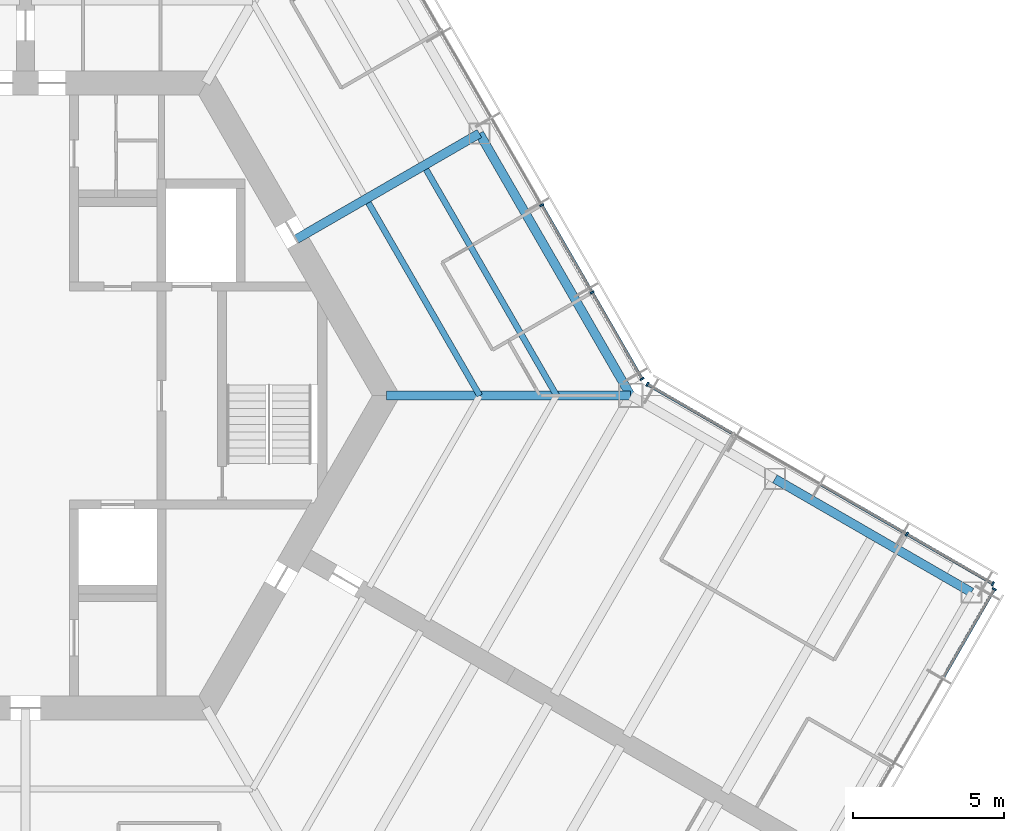
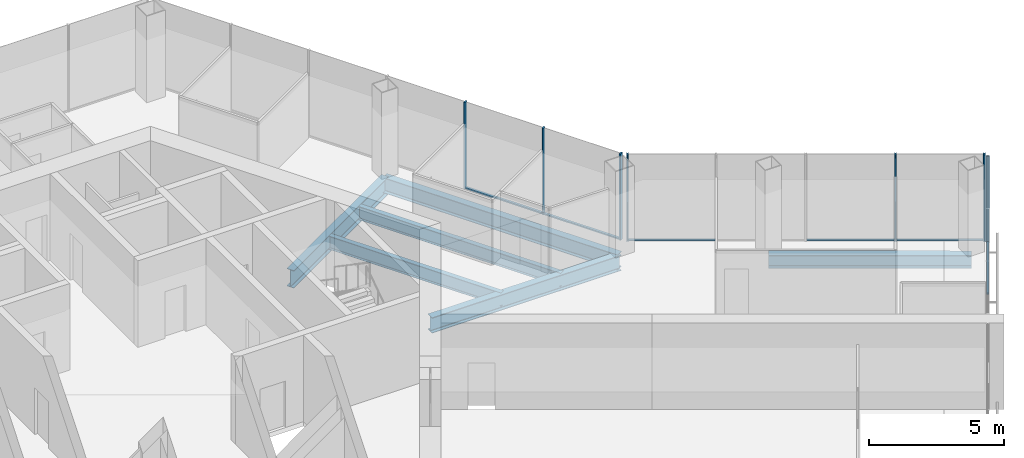
# One storey, part 5 of 16: 13 members, 6 beams, 3 elements without a shape of their own.
"""IFC4 building model written with IfcOpenShell, lengths in metres."""

from ifc_helpers import new_model, si_unit, direction, frame, origin, origin_2d, place, context, subcontext, project, spatial, rectangle, i_section, extrude, material, material_profile, profile_set, type_object, element, aggregate, save


model = new_model("IFC4")

# Units and contexts
model_context = context("Model", 3, precision=1e-05, world=origin(), true_north=direction((0.0, 1.0)))
body_context = subcontext(model_context, "Body", "Model", "MODEL_VIEW")
ifc_project = project(units=[si_unit("LENGTHUNIT", "METRE"), si_unit("AREAUNIT", "SQUARE_METRE"), si_unit("VOLUMEUNIT", "CUBIC_METRE"), si_unit("PLANEANGLEUNIT", "RADIAN"), si_unit("MASSUNIT", "GRAM", prefix="KILO")], contexts=[model_context])

# Site, building, storey
site_placement = place(None, origin())
site = spatial("IfcSite", under=ifc_project, at=site_placement, CompositionType="ELEMENT")
building_placement = place(site_placement, origin())
building = spatial("IfcBuilding", under=site, at=building_placement, Name="Kasaneha Research Tower", CompositionType="ELEMENT")
storey_placement = place(building_placement, frame((0.0, 0.0, 247.89990234375)))
storey = spatial("IfcBuildingStorey", under=building, at=storey_placement, Name="L62", CompositionType="ELEMENT", Elevation=247.89990234375)

# Beams
ifc_material_1 = material(Name="Steel SN490B", Category="steel")
ifc_material_profile_1 = material_profile(ifc_material_1, i_section(OverallWidth=0.199951171875, OverallDepth=0.60009765625, WebThickness=0.010986328125, FlangeThickness=0.01708984375, FilletRadius=0.012939453125, at=origin_2d()), Name="H-600x200x11x17")
ifc_profile_set_1 = profile_set([ifc_material_profile_1], Name="Steel SN490B")
beam_type_1 = type_object("IfcBeamType", Name="B1-3 secondary beam H-600x200x11x17", PredefinedType="JOIST", material=ifc_profile_set_1)
beam_1_placement = place(storey_placement, frame((15.010986328125, 0.0, -0.449951171875), z_axis=(-0.499994443168, 0.866028611999, 0.0), x_axis=(-0.866028611999, -0.499994443168, 0.0)))
element("IfcBeam", 1, at=beam_1_placement, inside=storey, type_object=beam_type_1, Name="Secondary beam RS030L1 L62", PredefinedType="JOIST", context=body_context, shape_type="SweptSolid", body=[
    extrude(i_section(OverallWidth=0.199951171875, OverallDepth=0.60009765625, WebThickness=0.010986328125, FlangeThickness=0.01708984375, FilletRadius=0.012939453125, at=origin_2d()), origin(), (0.0, 0.0, 1.0), 7.35546875),
])
beam_2_placement = place(storey_placement, frame((17.551513671875, 0.0, -0.449951171875), z_axis=(-0.5000050195, 0.866022505755, 0.0), x_axis=(-0.866022505755, -0.5000050195, 0.0)))
element("IfcBeam", 2, at=beam_2_placement, inside=storey, type_object=beam_type_1, Name="Secondary beam RS030L2 L62", PredefinedType="JOIST", context=body_context, shape_type="SweptSolid", body=[
    extrude(i_section(OverallWidth=0.199951171875, OverallDepth=0.60009765625, WebThickness=0.010986328125, FlangeThickness=0.01708984375, FilletRadius=0.012939453125, at=origin_2d()), origin(), (0.0, 0.0, 1.0), 8.6259765625),
])

# Curtain wall, members
ifc_material_2 = material(Name="Glass and aluminium", Category="aluminium")
curtain_wall_type = type_object("IfcCurtainWallType", Name="High-rise office curtain wall", PredefinedType="USERDEFINED", material=ifc_material_2)
curtain_wall_1_placement = place(storey_placement, origin())
curtain_wall_1 = element("IfcCurtainWall", 3, at=curtain_wall_1_placement, inside=storey, type_object=curtain_wall_type, Name="CW-O3 L62 run 01a", ObjectType="UNITISED CURTAIN WALL", PredefinedType="USERDEFINED")
ifc_material_3 = material(Name="Aluminium 6063-T6", Category="aluminium")
ifc_material_profile_2 = material_profile(ifc_material_3, rectangle(XDim=0.06005859375, YDim=0.139892578125, at=origin_2d()), Name="CW-O3 mullion 60x140")
ifc_profile_set_2 = profile_set([ifc_material_profile_2], Name="Aluminium 6063-T6")
member_type_1 = type_object("IfcMemberType", Name="CW-O3 mullion", PredefinedType="MULLION", material=ifc_profile_set_2)
member_1_placement = place(storey_placement, frame((20.374267578125, 0.5517578125, 0.0), z_axis=(0.0, 0.0, 1.0), x_axis=(-0.499999979232, 0.866025415775, 0.0)))
member_1 = element("IfcMember", 4, at=member_1_placement, type_object=member_type_1, Name="CW-O3 mullion 1", PredefinedType="MULLION", context=body_context, shape_type="SweptSolid", body=[
    extrude(rectangle(XDim=0.06005859375, YDim=0.139892578125, at=origin_2d()), origin(), (0.0, 0.0, 1.0), 3.900146484375),
])
member_2_placement = place(storey_placement, frame((18.723876953125, 3.410400390625, 0.0), z_axis=(0.0, 0.0, 1.0), x_axis=(-0.499999979232, 0.866025415775, 0.0)))
member_2 = element("IfcMember", 5, at=member_2_placement, type_object=member_type_1, Name="CW-O3 mullion 2", PredefinedType="MULLION", context=body_context, shape_type="SweptSolid", body=[
    extrude(rectangle(XDim=0.06005859375, YDim=0.139892578125, at=origin_2d()), origin(), (0.0, 0.0, 1.0), 3.900146484375),
])
member_3_placement = place(storey_placement, frame((17.058349609375, 6.295166015625, 0.0), z_axis=(0.0, 0.0, 1.0), x_axis=(-0.499999979232, 0.866025415775, 0.0)))
member_3 = element("IfcMember", 6, at=member_3_placement, type_object=member_type_1, Name="CW-O3 mullion 3", PredefinedType="MULLION", context=body_context, shape_type="SweptSolid", body=[
    extrude(rectangle(XDim=0.06005859375, YDim=0.139892578125, at=origin_2d()), origin(), (0.0, 0.0, 1.0), 3.900146484375),
])

# Curtain wall, member
curtain_wall_2_placement = place(storey_placement, origin())
curtain_wall_2 = element("IfcCurtainWall", 7, at=curtain_wall_2_placement, inside=storey, type_object=curtain_wall_type, Name="CW-O3 L62 run 08a", ObjectType="UNITISED CURTAIN WALL", PredefinedType="USERDEFINED")
member_4_placement = place(storey_placement, frame((32.012939453125, -6.39306640625, 0.0), z_axis=(0.0, 0.0, 1.0), x_axis=(0.500000011442, 0.866025397178, 0.0)))
member_4 = element("IfcMember", 8, at=member_4_placement, type_object=member_type_1, Name="CW-O3 mullion 4", PredefinedType="MULLION", context=body_context, shape_type="SweptSolid", body=[
    extrude(rectangle(XDim=0.06005859375, YDim=0.139892578125, at=origin_2d()), origin(), (0.0, 0.0, 1.0), 3.900146484375),
])

# Curtain wall, members
curtain_wall_3_placement = place(storey_placement, origin())
curtain_wall_3 = element("IfcCurtainWall", 9, at=curtain_wall_3_placement, inside=storey, type_object=curtain_wall_type, Name="CW-O3 L62 run 09a", ObjectType="UNITISED CURTAIN WALL", PredefinedType="USERDEFINED")
member_5_placement = place(storey_placement, frame((31.96533203125, -6.21533203125, 0.0), z_axis=(0.0, 0.0, 1.0), x_axis=(-0.866025411464, 0.499999986699, 0.0)))
member_5 = element("IfcMember", 10, at=member_5_placement, type_object=member_type_1, Name="CW-O3 mullion 1", PredefinedType="MULLION", context=body_context, shape_type="SweptSolid", body=[
    extrude(rectangle(XDim=0.06005859375, YDim=0.139892578125, at=origin_2d()), origin(), (0.0, 0.0, 1.0), 3.900146484375),
])
member_6_placement = place(storey_placement, frame((29.125, -4.575439453125, 0.0), z_axis=(0.0, 0.0, 1.0), x_axis=(-0.866025411464, 0.499999986699, 0.0)))
member_6 = element("IfcMember", 11, at=member_6_placement, type_object=member_type_1, Name="CW-O3 mullion 2", PredefinedType="MULLION", context=body_context, shape_type="SweptSolid", body=[
    extrude(rectangle(XDim=0.06005859375, YDim=0.139892578125, at=origin_2d()), origin(), (0.0, 0.0, 1.0), 3.900146484375),
])
member_7_placement = place(storey_placement, frame((20.5517578125, 0.374267578125, 0.0), z_axis=(0.0, 0.0, 1.0), x_axis=(-0.866025411464, 0.499999986699, 0.0)))
member_7 = element("IfcMember", 12, at=member_7_placement, type_object=member_type_1, Name="CW-O3 mullion 5", PredefinedType="MULLION", context=body_context, shape_type="SweptSolid", body=[
    extrude(rectangle(XDim=0.06005859375, YDim=0.139892578125, at=origin_2d()), origin(), (0.0, 0.0, 1.0), 3.900146484375),
])

# Member
ifc_material_4 = material(Name="Aluminium 6063-T6", Category="aluminium")
ifc_material_profile_3 = material_profile(ifc_material_4, rectangle(XDim=0.10009765625, YDim=0.06005859375, at=origin_2d()), Name="CW-O3 transom 100x60")
ifc_profile_set_3 = profile_set([ifc_material_profile_3], Name="Aluminium 6063-T6")
member_type_2 = type_object("IfcMemberType", Name="CW-O3 transom", PredefinedType="USERDEFINED", material=ifc_profile_set_3)
member_8_placement = place(storey_placement, frame((20.359130859375, 0.577880859375, 0.030029296875), z_axis=(-0.499987643696, 0.866032537582, 0.0), x_axis=(-0.866032537582, -0.499987643696, 0.0)))
member_8 = element("IfcMember", 13, at=member_8_placement, type_object=member_type_2, Name="CW-O3 transom 1", ObjectType="TRANSOM", PredefinedType="USERDEFINED", context=body_context, shape_type="SweptSolid", body=[
    extrude(rectangle(XDim=0.10009765625, YDim=0.06005859375, at=origin_2d()), origin(), (0.0, 0.0, 1.0), 3.24072265625),
])

member_9_placement = place(storey_placement, frame((18.708740234375, 3.4365234375, 0.030029296875), z_axis=(-0.500000270186, 0.866025247793, 0.0), x_axis=(-0.866025247793, -0.500000270186, 0.0)))
member_9 = element("IfcMember", 14, at=member_9_placement, type_object=member_type_2, Name="CW-O3 transom 2", ObjectType="TRANSOM", PredefinedType="USERDEFINED", context=body_context, shape_type="SweptSolid", body=[
    extrude(rectangle(XDim=0.10009765625, YDim=0.06005859375, at=origin_2d()), origin(), (0.0, 0.0, 1.0), 3.27099609375),
])

aggregate(curtain_wall_1, [member_1, member_2, member_3, member_8, member_9])

member_10_placement = place(storey_placement, frame((30.343017578125, -9.285400390625, 0.030029296875), z_axis=(0.500018282537, 0.866014848099, 0.0), x_axis=(-0.866014848099, 0.500018282537, 0.0)))
member_10 = element("IfcMember", 15, at=member_10_placement, type_object=member_type_2, Name="CW-O3 transom 3", ObjectType="TRANSOM", PredefinedType="USERDEFINED", context=body_context, shape_type="SweptSolid", body=[
    extrude(rectangle(XDim=0.10009765625, YDim=0.06005859375, at=origin_2d()), origin(), (0.0, 0.0, 1.0), 3.31005859375),
])

aggregate(curtain_wall_2, [member_4, member_10])

member_11_placement = place(storey_placement, frame((31.939453125, -6.200439453125, 0.030029296875), z_axis=(-0.866041647767, 0.499971863542, 0.0), x_axis=(-0.499971863542, -0.866041647767, 0.0)))
member_11 = element("IfcMember", 16, at=member_11_placement, type_object=member_type_2, Name="CW-O3 transom 1", ObjectType="TRANSOM", PredefinedType="USERDEFINED", context=body_context, shape_type="SweptSolid", body=[
    extrude(rectangle(XDim=0.10009765625, YDim=0.06005859375, at=origin_2d()), origin(), (0.0, 0.0, 1.0), 3.219970703125),
])

member_12_placement = place(storey_placement, frame((29.098876953125, -4.560546875, 0.030029296875), z_axis=(-0.86599666273, 0.500049777664, 0.0), x_axis=(-0.500049777664, -0.86599666273, 0.0)))
member_12 = element("IfcMember", 17, at=member_12_placement, type_object=member_type_2, Name="CW-O3 transom 2", ObjectType="TRANSOM", PredefinedType="USERDEFINED", context=body_context, shape_type="SweptSolid", body=[
    extrude(rectangle(XDim=0.10009765625, YDim=0.06005859375, at=origin_2d()), origin(), (0.0, 0.0, 1.0), 3.249755859375),
])

member_13_placement = place(storey_placement, frame((23.3662109375, -1.250732421875, 0.030029296875), z_axis=(-0.866022692473, 0.500004696101, 0.0), x_axis=(-0.500004696101, -0.866022692473, 0.0)))
member_13 = element("IfcMember", 18, at=member_13_placement, type_object=member_type_2, Name="CW-O3 transom 4", ObjectType="TRANSOM", PredefinedType="USERDEFINED", context=body_context, shape_type="SweptSolid", body=[
    extrude(rectangle(XDim=0.10009765625, YDim=0.06005859375, at=origin_2d()), origin(), (0.0, 0.0, 1.0), 3.2197265625),
])

aggregate(curtain_wall_3, [member_5, member_6, member_7, member_11, member_12, member_13])

# Beams
ifc_material_5 = material(Name="Steel SN490B", Category="steel")
ifc_material_profile_4 = material_profile(ifc_material_5, i_section(OverallWidth=0.300048828125, OverallDepth=0.699951171875, WebThickness=0.012939453125, FlangeThickness=0.02392578125, FilletRadius=0.01806640625, at=origin_2d()), Name="H-700x300x13x24")
ifc_profile_set_4 = profile_set([ifc_material_profile_4], Name="Steel SN490B")
beam_type_2 = type_object("IfcBeamType", Name="G1-3 radial girder H-700x300x13x24", PredefinedType="BEAM", material=ifc_profile_set_4)
beam_3_placement = place(storey_placement, frame((11.92236328125, 0.0, -0.5), z_axis=(1.0, 0.0, 0.0), x_axis=(0.0, 1.0, 0.0)))
element("IfcBeam", 19, at=beam_3_placement, inside=storey, type_object=beam_type_2, Name="Radial girder RV000 L62", PredefinedType="BEAM", context=body_context, shape_type="SweptSolid", body=[
    extrude(i_section(OverallWidth=0.300048828125, OverallDepth=0.699951171875, WebThickness=0.012939453125, FlangeThickness=0.02392578125, FilletRadius=0.01806640625, at=origin_2d()), origin(), (0.0, 0.0, 1.0), 8.07763671875),
])
ifc_material_6 = material(Name="Steel SN490B", Category="steel")
ifc_material_profile_5 = material_profile(ifc_material_6, i_section(OverallWidth=0.300048828125, OverallDepth=0.800048828125, WebThickness=0.013916015625, FlangeThickness=0.02587890625, FilletRadius=0.01806640625, at=origin_2d()), Name="H-800x300x14x26")
ifc_profile_set_5 = profile_set([ifc_material_profile_5], Name="Steel SN490B")
beam_type_3 = type_object("IfcBeamType", Name="G2-3 radial girder H-800x300x14x26", PredefinedType="BEAM", material=ifc_profile_set_5)
beam_4_placement = place(storey_placement, frame((8.941650390625, 5.16259765625, -0.5498046875), z_axis=(0.866039713508, 0.499975214012, 0.0), x_axis=(-0.499975214012, 0.866039713508, 0.0)))
element("IfcBeam", 20, at=beam_4_placement, inside=storey, type_object=beam_type_3, Name="Radial girder RM030 L62", PredefinedType="BEAM", context=body_context, shape_type="SweptSolid", body=[
    extrude(i_section(OverallWidth=0.300048828125, OverallDepth=0.800048828125, WebThickness=0.013916015625, FlangeThickness=0.02587890625, FilletRadius=0.01806640625, at=origin_2d()), origin(), (0.0, 0.0, 1.0), 6.995361328125),
])
ifc_material_7 = material(Name="Steel SN490B", Category="steel")
ifc_material_profile_6 = material_profile(ifc_material_7, i_section(OverallWidth=0.300048828125, OverallDepth=0.69189453125, WebThickness=0.012939453125, FlangeThickness=0.02001953125, FilletRadius=0.01806640625, at=origin_2d()), Name="H-692x300x13x20")
ifc_profile_set_6 = profile_set([ifc_material_profile_6], Name="Steel SN490B")
beam_type_4 = type_object("IfcBeamType", Name="SB1-3 spandrel beam H-692x300x13x20", PredefinedType="SPANDREL", material=ifc_profile_set_6)
beam_5_placement = place(storey_placement, frame((20.0, 0.0, -0.495849609375), z_axis=(-0.500004234368, 0.866022959057, 0.0), x_axis=(-0.866022959057, -0.500004234368, 0.0)))
element("IfcBeam", 21, at=beam_5_placement, inside=storey, type_object=beam_type_4, Name="Spandrel beam SR030L L62", PredefinedType="SPANDREL", context=body_context, shape_type="SweptSolid", body=[
    extrude(i_section(OverallWidth=0.300048828125, OverallDepth=0.69189453125, WebThickness=0.012939453125, FlangeThickness=0.02001953125, FilletRadius=0.01806640625, at=origin_2d()), origin(), (0.0, 0.0, 1.0), 10.0),
])
ifc_material_8 = material(Name="Steel SN490B", Category="steel")
ifc_material_profile_7 = material_profile(ifc_material_8, i_section(OverallWidth=0.300048828125, OverallDepth=0.58203125, WebThickness=0.011962890625, FlangeThickness=0.01708984375, FilletRadius=0.012939453125, at=origin_2d()), Name="H-582x300x12x17")
ifc_profile_set_7 = profile_set([ifc_material_profile_7], Name="Steel SN490B")
beam_type_5 = type_object("IfcBeamType", Name="SB2-3 spandrel beam H-582x300x12x17", PredefinedType="SPANDREL", material=ifc_profile_set_7)
beam_6_placement = place(storey_placement, frame((24.76318359375, -2.75, -0.44091796875), z_axis=(0.866022959057, -0.500004234368, 0.0), x_axis=(0.500004234368, 0.866022959057, 0.0)))
element("IfcBeam", 22, at=beam_6_placement, inside=storey, type_object=beam_type_5, Name="Spandrel beam WSCN2 L62", PredefinedType="SPANDREL", context=body_context, shape_type="SweptSolid", body=[
    extrude(i_section(OverallWidth=0.300048828125, OverallDepth=0.58203125, WebThickness=0.011962890625, FlangeThickness=0.01708984375, FilletRadius=0.012939453125, at=origin_2d()), origin(), (0.0, 0.0, 1.0), 7.5),
])

save(model, "model.ifc")
